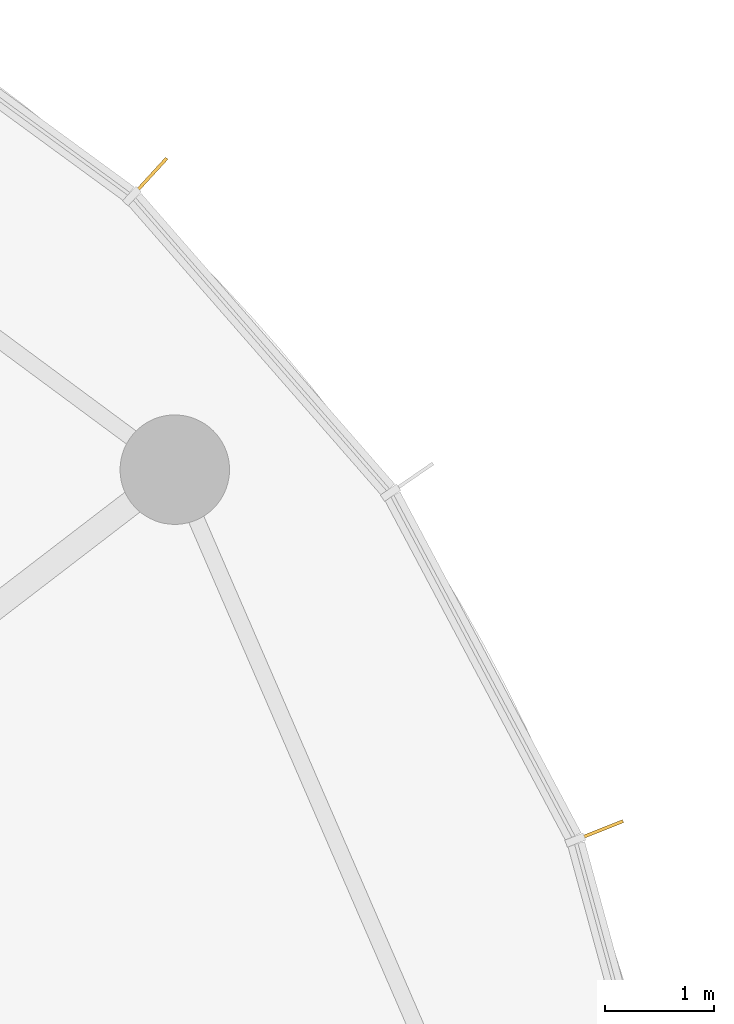
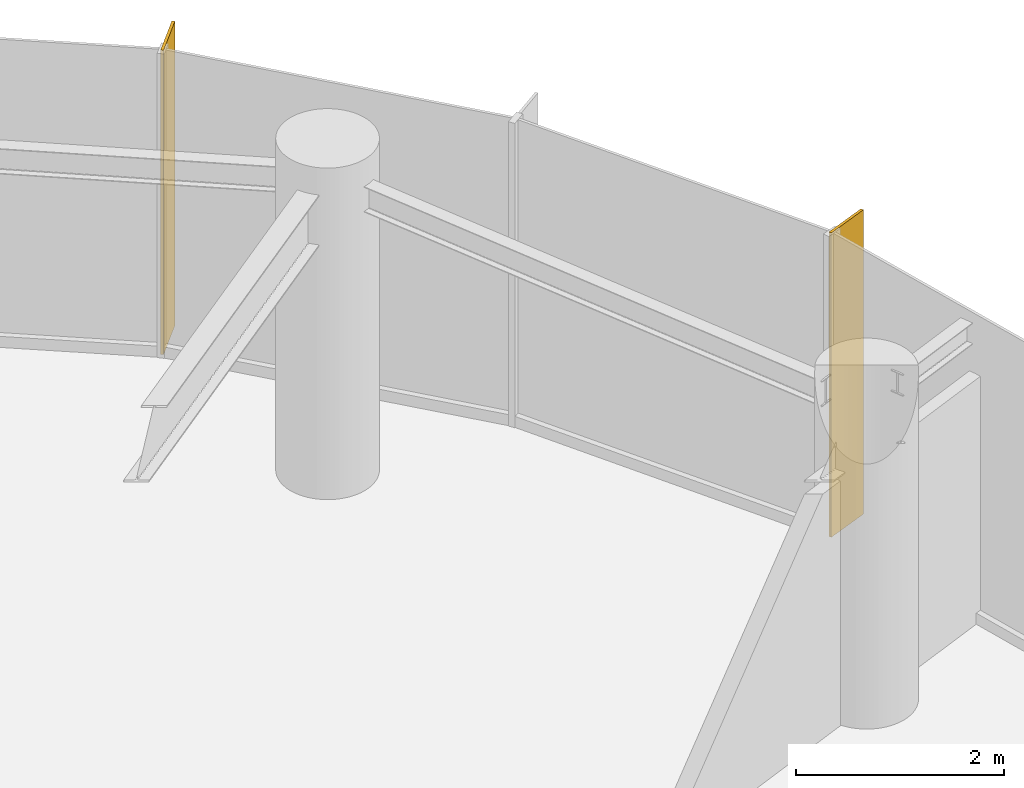
# One storey, part 14 of 14: 2 shading devices.
"""IFC4 building model written with IfcOpenShell, lengths in metres."""

from ifc_helpers import new_model, si_unit, direction, frame, origin, origin_2d, place, context, subcontext, project, spatial, rectangle, extrude, source, transform, mapped, material, material_profile, profile_set, type_object, element, save


model = new_model("IFC4")

# Units and contexts
model_context = context("Model", 3, precision=1e-05, world=origin(), true_north=direction((0.0, 1.0)))
body_context = subcontext(model_context, "Body", "Model", "MODEL_VIEW")
ifc_project = project(units=[si_unit("LENGTHUNIT", "METRE"), si_unit("AREAUNIT", "SQUARE_METRE"), si_unit("VOLUMEUNIT", "CUBIC_METRE"), si_unit("PLANEANGLEUNIT", "RADIAN"), si_unit("MASSUNIT", "GRAM", prefix="KILO")], contexts=[model_context])

# Site, building, storey
site_placement = place(None, origin())
site = spatial("IfcSite", under=ifc_project, at=site_placement, CompositionType="ELEMENT")
building_placement = place(site_placement, origin())
building = spatial("IfcBuilding", under=site, at=building_placement, Name="Spindrift Exchange Tower", CompositionType="ELEMENT")
storey_placement = place(building_placement, frame((0.0, 0.0, 148.699951171875)))
storey = spatial("IfcBuildingStorey", under=building, at=storey_placement, Name="L35", CompositionType="ELEMENT", Elevation=148.699951171875)

# Shading devices
ifc_material = material(Name="Bronze anodised aluminium", Category="aluminium")
ifc_material_profile = material_profile(ifc_material, rectangle(XDim=0.030029296875, YDim=0.5, at=origin_2d()), Name="WIND FIN 30X500")
ifc_profile_set = profile_set([ifc_material_profile], Name="Bronze anodised aluminium")
shading_device_type = type_object("IfcShadingDeviceType", Name="WIND FIN 30X500", PredefinedType="USERDEFINED", material=ifc_profile_set)
shared_shape = source(origin(), body_context, "Body", "SweptSolid", [
    extrude(rectangle(XDim=0.030029296875, YDim=0.5, at=origin_2d()), origin(), (0.0, 0.0, 1.0), 3.580078125),
])
for number, where, z_axis, x_axis, name in (
    (1, (71.58349609375, 65.873779296875, 0.0), (0.0, 0.0, 1.0), (-0.736748862432, 0.676166483719, 0.0), "L35 wind fin 3"),
    (2, (75.688720703125, 59.909423828125, 0.0), (0.0, 0.0, 1.0), (-0.368488024149, 0.929632495161, 0.0), "L35 wind fin 4"),
):
    element("IfcShadingDevice", number, at=place(storey_placement, frame(where, z_axis=z_axis, x_axis=x_axis)), inside=storey, type_object=shading_device_type, Name=name, ObjectType="FIN", PredefinedType="USERDEFINED", context=body_context, shape_type="MappedRepresentation", body=[
        mapped(shared_shape, transform((0.0, 0.0, 0.0), scale=1.0)),
    ])

save(model, "model.ifc")
